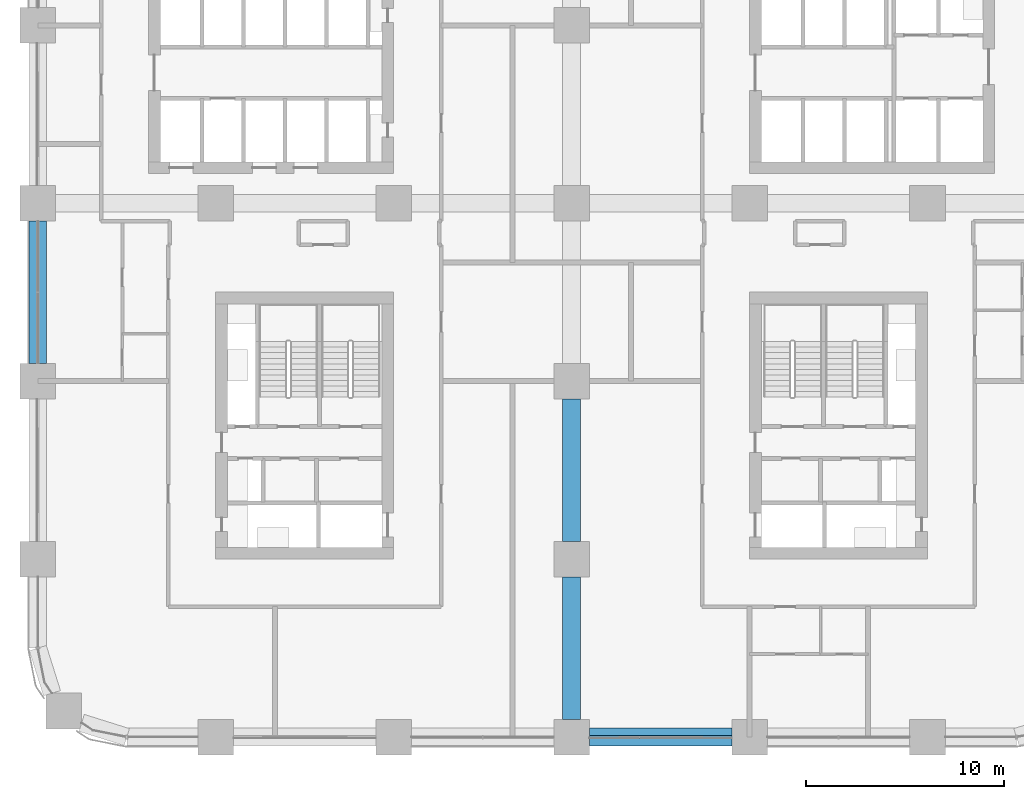
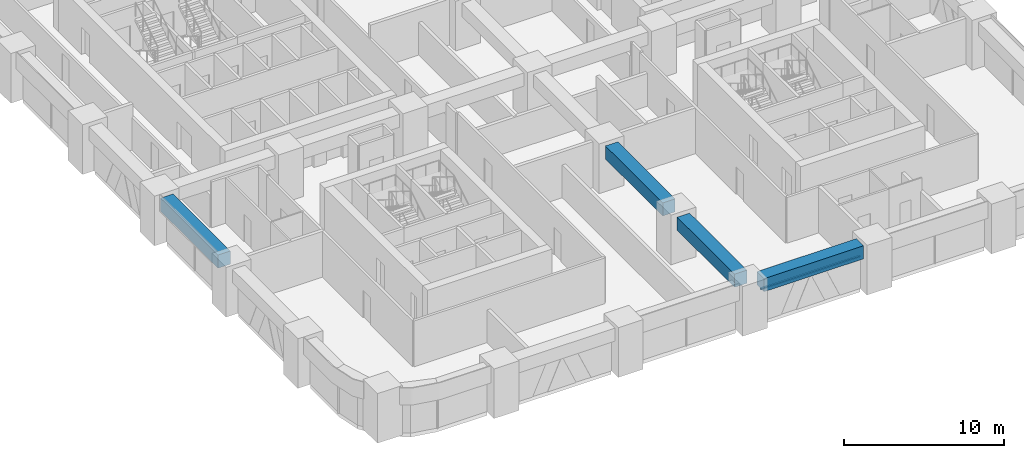
# One storey, part 3 of 21: 4 beams, 1 member, 1 element without a shape of its own.
"""IFC4 building model written with IfcOpenShell, lengths in metres."""

from ifc_helpers import new_model, si_unit, direction, frame, origin, origin_2d, place, context, subcontext, project, spatial, rectangle, extrude, material, material_profile, profile_set, type_object, element, aggregate, save


model = new_model("IFC4")

# Units and contexts
model_context = context("Model", 3, precision=1e-05, world=origin(), true_north=direction((0.0, 1.0)))
body_context = subcontext(model_context, "Body", "Model", "MODEL_VIEW")
ifc_project = project(units=[si_unit("LENGTHUNIT", "METRE"), si_unit("AREAUNIT", "SQUARE_METRE"), si_unit("VOLUMEUNIT", "CUBIC_METRE"), si_unit("PLANEANGLEUNIT", "RADIAN"), si_unit("MASSUNIT", "GRAM", prefix="KILO")], contexts=[model_context])

# Site, building, storey
site_placement = place(None, origin())
site = spatial("IfcSite", under=ifc_project, at=site_placement, CompositionType="ELEMENT")
building_placement = place(site_placement, origin())
building = spatial("IfcBuilding", under=site, at=building_placement, Name="Tessera Arch", CompositionType="ELEMENT")
storey_placement = place(building_placement, frame((0.0, 0.0, 65.199951171875)))
storey = spatial("IfcBuildingStorey", under=building, at=storey_placement, Name="L14", CompositionType="ELEMENT", Elevation=65.199951171875)

# Curtain wall, member
ifc_material_1 = material(Name="CW3 curtain wall")
curtain_wall_type = type_object("IfcCurtainWallType", Name="CW3 curtain wall", PredefinedType="NOTDEFINED", material=ifc_material_1)
curtain_wall_placement = place(storey_placement, origin())
curtain_wall = element("IfcCurtainWall", 1, at=curtain_wall_placement, inside=storey, type_object=curtain_wall_type, Name="CW3 curtain wall S0.0/2 L14", PredefinedType="NOTDEFINED")
ifc_material_2 = material(Name="Anodised aluminium pale metal", Category="aluminium")
ifc_material_profile_1 = material_profile(ifc_material_2, rectangle(XDim=0.139892578125, YDim=0.10009765625, at=origin_2d()), Name="AL 140x100")
ifc_profile_set_1 = profile_set([ifc_material_profile_1], Name="Anodised aluminium pale metal")
member_type = type_object("IfcMemberType", Name="CW3 transom", PredefinedType="USERDEFINED", material=ifc_profile_set_1)
member_placement = place(storey_placement, frame((27.89990234375, 0.0, 2.449951171875), z_axis=(1.0, 0.0, 0.0), x_axis=(0.0, 1.0, 0.0)))
member = element("IfcMember", 2, at=member_placement, type_object=member_type, Name="CW3 transom S0.0/2 1.1", ObjectType="TRANSOM", PredefinedType="USERDEFINED", context=body_context, shape_type="SweptSolid", body=[
    extrude(rectangle(XDim=0.139892578125, YDim=0.10009765625, at=origin_2d()), origin(), (0.0, 0.0, 1.0), 7.2001953125),
])
aggregate(curtain_wall, [member])

# Beams
ifc_material_3 = material(Name="Concrete C80/95", Category="concrete")
ifc_material_profile_2 = material_profile(ifc_material_3, rectangle(XDim=0.89990234375, YDim=1.0, at=origin_2d()), Name="RC spandrel beam 900 x 1000 Concrete C80/95")
ifc_profile_set_2 = profile_set([ifc_material_profile_2], Name="Concrete C80/95")
beam_type = type_object("IfcBeamType", Name="RC spandrel beam 900 x 1000 Concrete C80/95", PredefinedType="BEAM", material=ifc_profile_set_2)
for number, where, z_axis, x_axis, name in (
    (3, (27.89990234375, 0.0, 3.0), (1.0, 0.0, 0.0), (0.0, 1.0, 0.0), "Spandrel beam L14 S0.0/2"),
    (4, (0.0, 26.10009765625, 3.0), (0.0, -1.0, 0.0), (1.0, 0.0, 0.0), "Spandrel beam L14 W0.0/3"),
    (5, (27.0, 0.89990234375, 3.0), (0.0, 1.0, 0.0), (-1.0, 0.0, 0.0), "Interface beam L14 I0C4A-C4B"),
    (6, (27.0, 9.89990234375, 3.0), (0.0, 1.0, 0.0), (-1.0, 0.0, 0.0), "Interface beam L14 I0C4B-C4C"),
):
    element("IfcBeam", number, at=place(storey_placement, frame(where, z_axis=z_axis, x_axis=x_axis)), inside=storey, type_object=beam_type, Name=name, PredefinedType="BEAM", context=body_context, shape_type="SweptSolid", body=[
        extrude(rectangle(XDim=0.89990234375, YDim=1.0, at=origin_2d()), origin(), (0.0, 0.0, 1.0), 7.2001953125),
    ])

save(model, "model.ifc")
